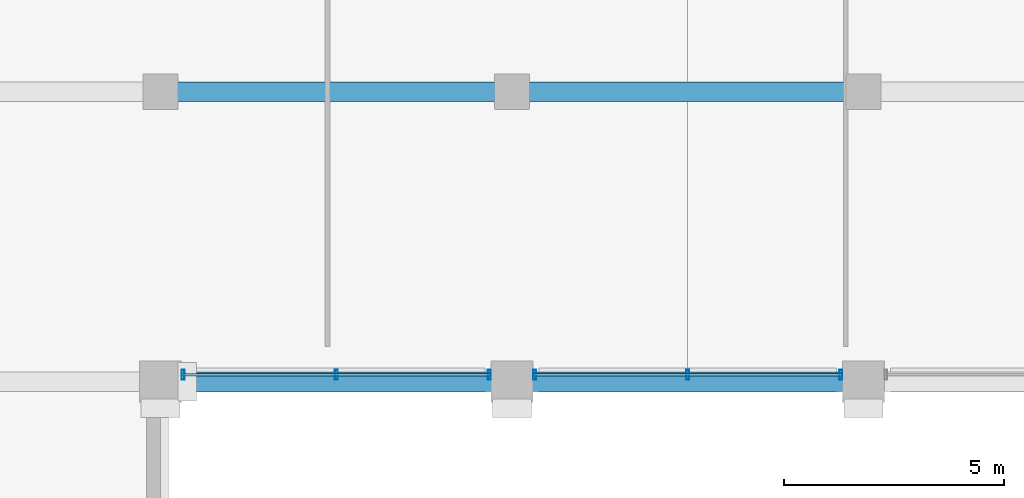
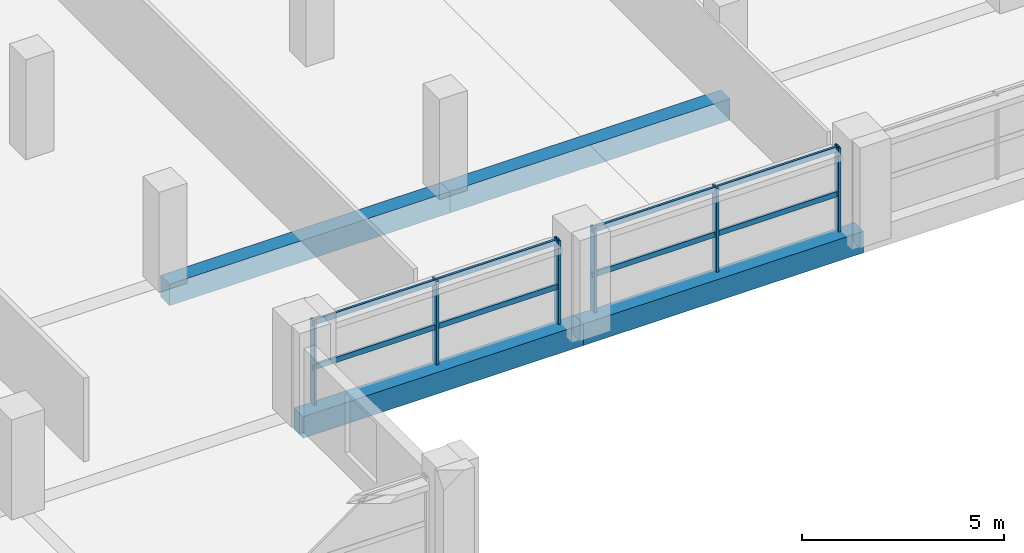
# One storey, part 4 of 23: 10 members, 4 beams, 2 elements without a shape of their own.
"""IFC4 building model written with IfcOpenShell, lengths in metres."""

from ifc_helpers import new_model, si_unit, direction, frame, origin, origin_2d, place, context, subcontext, project, spatial, rectangle, hollow_rectangle, extrude, material, material_profile, profile_set, type_object, element, aggregate, save


model = new_model("IFC4")

# Units and contexts
model_context = context("Model", 3, precision=1e-05, world=origin(), true_north=direction((0.0, 1.0)))
body_context = subcontext(model_context, "Body", "Model", "MODEL_VIEW")
ifc_project = project(units=[si_unit("LENGTHUNIT", "METRE"), si_unit("AREAUNIT", "SQUARE_METRE"), si_unit("VOLUMEUNIT", "CUBIC_METRE"), si_unit("PLANEANGLEUNIT", "RADIAN"), si_unit("MASSUNIT", "GRAM", prefix="KILO")], contexts=[model_context])

# Site, building, storey
site_placement = place(None, origin())
site = spatial("IfcSite", under=ifc_project, at=site_placement, CompositionType="ELEMENT")
building_placement = place(site_placement, origin())
building = spatial("IfcBuilding", under=site, at=building_placement, Name="Akrevak Sports Hall", CompositionType="ELEMENT")
storey_placement = place(building_placement, frame((0.0, 0.0, 43.800048828125)))
storey = spatial("IfcBuildingStorey", under=building, at=storey_placement, Name="L10", CompositionType="ELEMENT", Elevation=43.800048828125)

# Curtain wall, members
ifc_material_1 = material(Name="Anodized Bronze Aluminium & Low-E Glass", Category="aluminium")
curtain_wall_type = type_object("IfcCurtainWallType", Name="ARC-CW-TWR-64x30", PredefinedType="NOTDEFINED", material=ifc_material_1)
curtain_wall_1_placement = place(storey_placement, origin())
curtain_wall_1 = element("IfcCurtainWall", 1, at=curtain_wall_1_placement, inside=storey, type_object=curtain_wall_type, Name="Curtain Wall CW-L10-S04", PredefinedType="NOTDEFINED")
ifc_material_2 = material(Name="Anodized Bronze Aluminium", Category="aluminium")
ifc_material_profile_1 = material_profile(ifc_material_2, hollow_rectangle(XDim=0.06494140625, YDim=0.219970703125, WallThickness=0.00439453125, at=origin_2d()), Name="CWM 65x220", Category="aluminium")
ifc_profile_set_1 = profile_set([ifc_material_profile_1], Name="Anodized Bronze Aluminium")
member_type_1 = type_object("IfcMemberType", Name="ARC-CWM-70x160", PredefinedType="MULLION", material=ifc_profile_set_1)
member_1_placement = place(storey_placement, frame((68.514892578125, 28.9599609375, 0.0), z_axis=(0.0, 0.0, 1.0), x_axis=(1.0, 0.0, 0.0)))
member_1 = element("IfcMember", 2, at=member_1_placement, type_object=member_type_1, Name="Curtain Wall Mullion CW-L10-S04-M1", PredefinedType="MULLION", context=body_context, shape_type="SweptSolid", body=[
    extrude(hollow_rectangle(XDim=0.06494140625, YDim=0.219970703125, WallThickness=0.00439453125, at=origin_2d()), origin(), (0.0, 0.0, 1.0), 2.530029296875),
])
member_2_placement = place(storey_placement, frame((72.0, 28.9599609375, 0.0), z_axis=(0.0, 0.0, 1.0), x_axis=(1.0, 0.0, 0.0)))
member_2 = element("IfcMember", 3, at=member_2_placement, type_object=member_type_1, Name="Curtain Wall Mullion CW-L10-S04-M2", PredefinedType="MULLION", context=body_context, shape_type="SweptSolid", body=[
    extrude(hollow_rectangle(XDim=0.06494140625, YDim=0.219970703125, WallThickness=0.00439453125, at=origin_2d()), origin(), (0.0, 0.0, 1.0), 2.530029296875),
])
member_3_placement = place(storey_placement, frame((75.485107421875, 28.9599609375, 0.0), z_axis=(0.0, 0.0, 1.0), x_axis=(1.0, 0.0, 0.0)))
member_3 = element("IfcMember", 4, at=member_3_placement, type_object=member_type_1, Name="Curtain Wall Mullion CW-L10-S04-M3", PredefinedType="MULLION", context=body_context, shape_type="SweptSolid", body=[
    extrude(hollow_rectangle(XDim=0.06494140625, YDim=0.219970703125, WallThickness=0.00439453125, at=origin_2d()), origin(), (0.0, 0.0, 1.0), 2.530029296875),
])

curtain_wall_2_placement = place(storey_placement, origin())
curtain_wall_2 = element("IfcCurtainWall", 5, at=curtain_wall_2_placement, inside=storey, type_object=curtain_wall_type, Name="Curtain Wall CW-L10-S05", PredefinedType="NOTDEFINED")
member_4_placement = place(storey_placement, frame((76.514892578125, 28.9599609375, 0.0), z_axis=(0.0, 0.0, 1.0), x_axis=(1.0, 0.0, 0.0)))
member_4 = element("IfcMember", 6, at=member_4_placement, type_object=member_type_1, Name="Curtain Wall Mullion CW-L10-S05-M1", PredefinedType="MULLION", context=body_context, shape_type="SweptSolid", body=[
    extrude(hollow_rectangle(XDim=0.06494140625, YDim=0.219970703125, WallThickness=0.00439453125, at=origin_2d()), origin(), (0.0, 0.0, 1.0), 2.530029296875),
])
member_5_placement = place(storey_placement, frame((80.0, 28.9599609375, 0.0), z_axis=(0.0, 0.0, 1.0), x_axis=(1.0, 0.0, 0.0)))
member_5 = element("IfcMember", 7, at=member_5_placement, type_object=member_type_1, Name="Curtain Wall Mullion CW-L10-S05-M2", PredefinedType="MULLION", context=body_context, shape_type="SweptSolid", body=[
    extrude(hollow_rectangle(XDim=0.06494140625, YDim=0.219970703125, WallThickness=0.00439453125, at=origin_2d()), origin(), (0.0, 0.0, 1.0), 2.530029296875),
])
member_6_placement = place(storey_placement, frame((83.485107421875, 28.9599609375, 0.0), z_axis=(0.0, 0.0, 1.0), x_axis=(1.0, 0.0, 0.0)))
member_6 = element("IfcMember", 8, at=member_6_placement, type_object=member_type_1, Name="Curtain Wall Mullion CW-L10-S05-M3", PredefinedType="MULLION", context=body_context, shape_type="SweptSolid", body=[
    extrude(hollow_rectangle(XDim=0.06494140625, YDim=0.219970703125, WallThickness=0.00439453125, at=origin_2d()), origin(), (0.0, 0.0, 1.0), 2.530029296875),
])

# Member
ifc_material_profile_2 = material_profile(ifc_material_2, hollow_rectangle(XDim=0.06494140625, YDim=0.159912109375, WallThickness=0.00390625, at=origin_2d()), Name="CWT 65x160", Category="aluminium")
ifc_profile_set_2 = profile_set([ifc_material_profile_2], Name="Anodized Bronze Aluminium")
member_type_2 = type_object("IfcMemberType", Name="ARC-CWT-70x130", PredefinedType="USERDEFINED", material=ifc_profile_set_2)
member_7_placement = place(storey_placement, frame((68.47509765625, 28.9599609375, 1.099853515625), z_axis=(1.0, 0.0, 0.0), x_axis=(0.0, 1.0, 0.0)))
member_7 = element("IfcMember", 9, at=member_7_placement, type_object=member_type_2, Name="Curtain Wall Transom CW-L10-S04-T1", ObjectType="TRANSOM", PredefinedType="USERDEFINED", context=body_context, shape_type="SweptSolid", body=[
    extrude(hollow_rectangle(XDim=0.06494140625, YDim=0.159912109375, WallThickness=0.00390625, at=origin_2d()), origin(), (0.0, 0.0, 1.0), 7.0498046875),
])

member_8_placement = place(storey_placement, frame((68.47509765625, 28.9599609375, 2.449951171875), z_axis=(1.0, 0.0, 0.0), x_axis=(0.0, 1.0, 0.0)))
member_8 = element("IfcMember", 10, at=member_8_placement, type_object=member_type_2, Name="Curtain Wall Transom CW-L10-S04-T2", ObjectType="TRANSOM", PredefinedType="USERDEFINED", context=body_context, shape_type="SweptSolid", body=[
    extrude(hollow_rectangle(XDim=0.06494140625, YDim=0.159912109375, WallThickness=0.00390625, at=origin_2d()), origin(), (0.0, 0.0, 1.0), 7.0498046875),
])

aggregate(curtain_wall_1, [member_1, member_2, member_3, member_7, member_8])

member_9_placement = place(storey_placement, frame((76.47509765625, 28.9599609375, 1.099853515625), z_axis=(1.0, 0.0, 0.0), x_axis=(0.0, 1.0, 0.0)))
member_9 = element("IfcMember", 11, at=member_9_placement, type_object=member_type_2, Name="Curtain Wall Transom CW-L10-S05-T1", ObjectType="TRANSOM", PredefinedType="USERDEFINED", context=body_context, shape_type="SweptSolid", body=[
    extrude(hollow_rectangle(XDim=0.06494140625, YDim=0.159912109375, WallThickness=0.00390625, at=origin_2d()), origin(), (0.0, 0.0, 1.0), 7.0498046875),
])

member_10_placement = place(storey_placement, frame((76.47509765625, 28.9599609375, 2.449951171875), z_axis=(1.0, 0.0, 0.0), x_axis=(0.0, 1.0, 0.0)))
member_10 = element("IfcMember", 12, at=member_10_placement, type_object=member_type_2, Name="Curtain Wall Transom CW-L10-S05-T2", ObjectType="TRANSOM", PredefinedType="USERDEFINED", context=body_context, shape_type="SweptSolid", body=[
    extrude(hollow_rectangle(XDim=0.06494140625, YDim=0.159912109375, WallThickness=0.00390625, at=origin_2d()), origin(), (0.0, 0.0, 1.0), 7.0498046875),
])

aggregate(curtain_wall_2, [member_4, member_5, member_6, member_9, member_10])

# Beams
ifc_material_3 = material(Name="Concrete C40/50", Category="concrete")
ifc_material_profile_3 = material_profile(ifc_material_3, rectangle(XDim=0.449951171875, YDim=0.64990234375, at=origin_2d()), Name="BM 450x650", Category="concrete")
ifc_profile_set_3 = profile_set([ifc_material_profile_3], Name="Concrete C40/50")
beam_type = type_object("IfcBeamType", Name="STR-BM-RC450x650", PredefinedType="BEAM", material=ifc_profile_set_3)
for number, where, z_axis, x_axis, name in (
    (13, (68.0, 28.800048828125, -0.324951171875), (1.0, 0.0, 0.0), (0.0, 1.0, 0.0), "Girder E/10-11 (L10)"),
    (14, (76.0, 28.800048828125, -0.324951171875), (1.0, 0.0, 0.0), (0.0, 1.0, 0.0), "Girder E/11-12 (L10)"),
    (15, (68.0, 35.39990234375, -0.324951171875), (1.0, 0.0, 0.0), (0.0, 1.0, 0.0), "Girder F/10-11 (L10)"),
    (16, (76.0, 35.39990234375, -0.324951171875), (1.0, 0.0, 0.0), (0.0, 1.0, 0.0), "Girder F/11-12 (L10)"),
):
    element("IfcBeam", number, at=place(storey_placement, frame(where, z_axis=z_axis, x_axis=x_axis)), inside=storey, type_object=beam_type, Name=name, PredefinedType="BEAM", context=body_context, shape_type="SweptSolid", body=[
        extrude(rectangle(XDim=0.449951171875, YDim=0.64990234375, at=origin_2d()), origin(), (0.0, 0.0, 1.0), 8.0),
    ])

save(model, "model.ifc")
